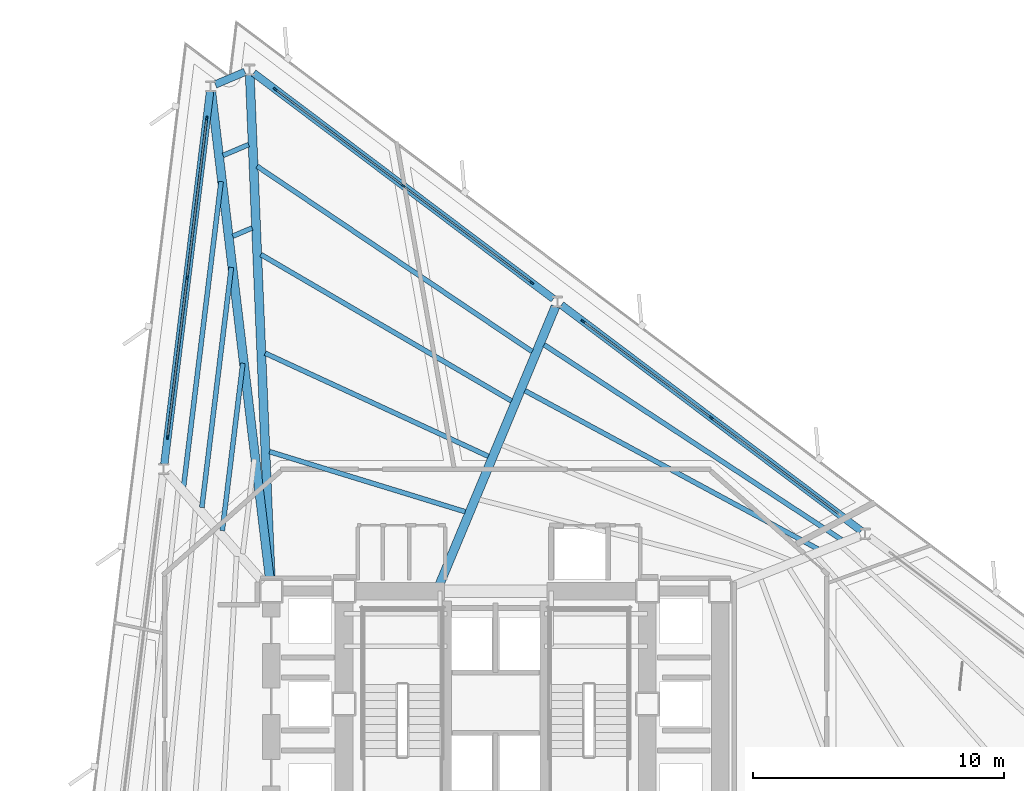
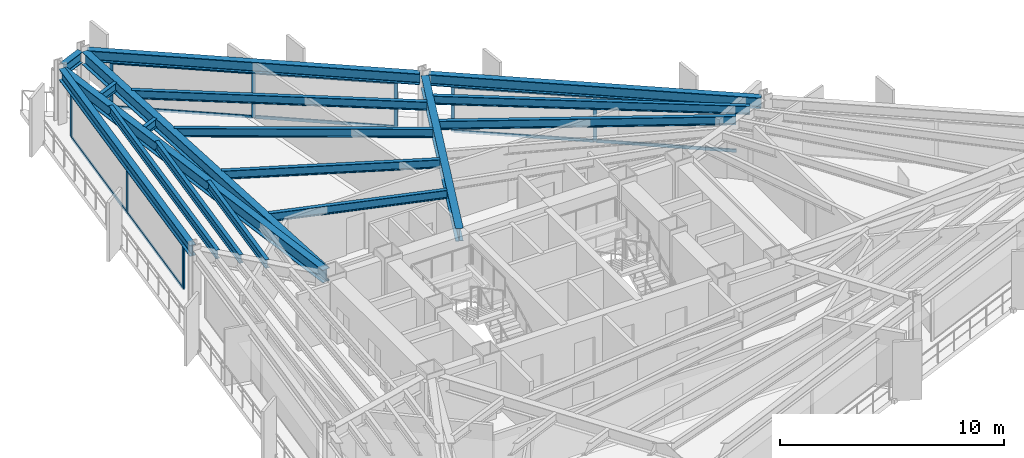
# One storey, part 5 of 13: 20 members, 18 beams, 3 elements without a shape of their own.
"""IFC4 building model written with IfcOpenShell, lengths in metres."""

from ifc_helpers import new_model, si_unit, direction, frame, origin, origin_2d, place, context, subcontext, project, spatial, rectangle, i_section, extrude, material, layer, layer_set, material_profile, profile_set, type_object, element, aggregate, save


model = new_model("IFC4")

# Units and contexts
model_context = context("Model", 3, precision=1e-05, world=origin(), true_north=direction((0.0, 1.0)))
body_context = subcontext(model_context, "Body", "Model", "MODEL_VIEW")
ifc_project = project(units=[si_unit("LENGTHUNIT", "METRE"), si_unit("AREAUNIT", "SQUARE_METRE"), si_unit("VOLUMEUNIT", "CUBIC_METRE"), si_unit("PLANEANGLEUNIT", "RADIAN"), si_unit("MASSUNIT", "GRAM", prefix="KILO")], contexts=[model_context])

# Site, building, storey
site_placement = place(None, origin())
site = spatial("IfcSite", under=ifc_project, at=site_placement, CompositionType="ELEMENT")
building_placement = place(site_placement, origin())
building = spatial("IfcBuilding", under=site, at=building_placement, Name="Rocaltana Carrier Exchange", CompositionType="ELEMENT")
storey_placement = place(building_placement, frame((0.0, 0.0, 69.760009765625)))
storey = spatial("IfcBuildingStorey", under=building, at=storey_placement, Name="L21", CompositionType="ELEMENT", Elevation=69.760009765625)

# Curtain wall, members
ifc_material_1 = material(Name="Aluminium 6063-T6", Category="aluminium")
ifc_layer = layer(ifc_material_1, 0.1650390625)
ifc_layer_set = layer_set([ifc_layer], Name="Aluminium 6063-T6")
curtain_wall_type = type_object("IfcCurtainWallType", Name="Lower-Mid Stepped Curtain Wall CW-02", PredefinedType="NOTDEFINED", material=ifc_layer_set)
curtain_wall_1_placement = place(storey_placement, origin())
curtain_wall_1 = element("IfcCurtainWall", 1, at=curtain_wall_1_placement, inside=storey, type_object=curtain_wall_type, Name="L21 CW-02 Run CW-L21-F1S2", PredefinedType="NOTDEFINED")
ifc_material_2 = material(Name="Aluminium 6063-T6", Category="aluminium")
ifc_material_profile_1 = material_profile(ifc_material_2, rectangle(XDim=0.06494140625, YDim=0.1650390625, at=origin_2d()), Name="AL-65X165")
ifc_profile_set_1 = profile_set([ifc_material_profile_1], Name="Aluminium 6063-T6")
member_type_1 = type_object("IfcMemberType", Name="CW-02 Mullion AL-65X165", PredefinedType="MULLION", material=ifc_profile_set_1)
member_1_placement = place(storey_placement, frame((8.59423828125, 11.405029296875, 0.0), z_axis=(0.0, 0.0, 1.0), x_axis=(-0.601815253533, -0.798635336443, 0.0)))
member_1 = element("IfcMember", 2, at=member_1_placement, type_object=member_type_1, Name="CW-02 mullion 2", PredefinedType="MULLION", context=body_context, shape_type="SweptSolid", body=[
    extrude(rectangle(XDim=0.06494140625, YDim=0.1650390625, at=origin_2d()), origin(), (0.0, 0.0, 1.0), 2.47802734375),
])
member_2_placement = place(storey_placement, frame((3.482421875, 15.257080078125, 0.0), z_axis=(0.0, 0.0, 1.0), x_axis=(-0.601815253533, -0.798635336443, 0.0)))
member_2 = element("IfcMember", 3, at=member_2_placement, type_object=member_type_1, Name="CW-02 mullion 3", PredefinedType="MULLION", context=body_context, shape_type="SweptSolid", body=[
    extrude(rectangle(XDim=0.06494140625, YDim=0.1650390625, at=origin_2d()), origin(), (0.0, 0.0, 1.0), 2.47802734375),
])

curtain_wall_2_placement = place(storey_placement, origin())
curtain_wall_2 = element("IfcCurtainWall", 4, at=curtain_wall_2_placement, inside=storey, type_object=curtain_wall_type, Name="L21 CW-02 Run CW-L21-F1S3", PredefinedType="NOTDEFINED")
member_3_placement = place(storey_placement, frame((1.433837890625, 16.80078125, 0.0), z_axis=(0.0, 0.0, 1.0), x_axis=(-0.601811518049, -0.79863815132, 0.0)))
member_3 = element("IfcMember", 5, at=member_3_placement, type_object=member_type_1, Name="CW-02 mullion 1", PredefinedType="MULLION", context=body_context, shape_type="SweptSolid", body=[
    extrude(rectangle(XDim=0.06494140625, YDim=0.1650390625, at=origin_2d()), origin(), (0.0, 0.0, 1.0), 2.47802734375),
])
member_4_placement = place(storey_placement, frame((-3.677978515625, 20.65283203125, 0.0), z_axis=(0.0, 0.0, 1.0), x_axis=(-0.601811518049, -0.79863815132, 0.0)))
member_4 = element("IfcMember", 6, at=member_4_placement, type_object=member_type_1, Name="CW-02 mullion 2", PredefinedType="MULLION", context=body_context, shape_type="SweptSolid", body=[
    extrude(rectangle(XDim=0.06494140625, YDim=0.1650390625, at=origin_2d()), origin(), (0.0, 0.0, 1.0), 2.47802734375),
])
member_5_placement = place(storey_placement, frame((-8.7900390625, 24.505126953125, 0.0), z_axis=(0.0, 0.0, 1.0), x_axis=(-0.601811518049, -0.79863815132, 0.0)))
member_5 = element("IfcMember", 7, at=member_5_placement, type_object=member_type_1, Name="CW-02 mullion 3", PredefinedType="MULLION", context=body_context, shape_type="SweptSolid", body=[
    extrude(rectangle(XDim=0.06494140625, YDim=0.1650390625, at=origin_2d()), origin(), (0.0, 0.0, 1.0), 2.47802734375),
])

curtain_wall_3_placement = place(storey_placement, origin())
curtain_wall_3 = element("IfcCurtainWall", 8, at=curtain_wall_3_placement, inside=storey, type_object=curtain_wall_type, Name="L21 CW-02 Run CW-L21-F2S1", PredefinedType="NOTDEFINED")
member_6_placement = place(storey_placement, frame((-11.521484375, 23.345703125, 0.0), z_axis=(0.0, 0.0, 1.0), x_axis=(0.992545748051, -0.121872630343, 0.0)))
member_6 = element("IfcMember", 9, at=member_6_placement, type_object=member_type_1, Name="CW-02 mullion 1", PredefinedType="MULLION", context=body_context, shape_type="SweptSolid", body=[
    extrude(rectangle(XDim=0.06494140625, YDim=0.1650390625, at=origin_2d()), origin(), (0.0, 0.0, 1.0), 2.47802734375),
])
member_7_placement = place(storey_placement, frame((-12.301513671875, 16.992431640625, 0.0), z_axis=(0.0, 0.0, 1.0), x_axis=(0.992545748051, -0.121872630343, 0.0)))
member_7 = element("IfcMember", 10, at=member_7_placement, type_object=member_type_1, Name="CW-02 mullion 2", PredefinedType="MULLION", context=body_context, shape_type="SweptSolid", body=[
    extrude(rectangle(XDim=0.06494140625, YDim=0.1650390625, at=origin_2d()), origin(), (0.0, 0.0, 1.0), 2.47802734375),
])
member_8_placement = place(storey_placement, frame((-13.08154296875, 10.639404296875, 0.0), z_axis=(0.0, 0.0, 1.0), x_axis=(0.992545748051, -0.121872630343, 0.0)))
member_8 = element("IfcMember", 11, at=member_8_placement, type_object=member_type_1, Name="CW-02 mullion 3", PredefinedType="MULLION", context=body_context, shape_type="SweptSolid", body=[
    extrude(rectangle(XDim=0.06494140625, YDim=0.1650390625, at=origin_2d()), origin(), (0.0, 0.0, 1.0), 2.47802734375),
])

# Member
ifc_material_3 = material(Name="Aluminium 6063-T6", Category="aluminium")
ifc_material_profile_2 = material_profile(ifc_material_3, rectangle(XDim=0.06494140625, YDim=0.1650390625, at=origin_2d()), Name="AL-65X165")
ifc_profile_set_2 = profile_set([ifc_material_profile_2], Name="Aluminium 6063-T6")
member_type_2 = type_object("IfcMemberType", Name="CW-02 Transom AL-65X165", PredefinedType="USERDEFINED", material=ifc_profile_set_2)
member_9_placement = place(storey_placement, frame((13.68017578125, 7.572509765625, 0.032470703125), z_axis=(-0.798624539829, 0.601829580847, 0.0), x_axis=(-0.601829580847, -0.798624539829, 0.0)))
member_9 = element("IfcMember", 12, at=member_9_placement, type_object=member_type_2, Name="CW-02 transom 1.1", ObjectType="TRANSOM", PredefinedType="USERDEFINED", context=body_context, shape_type="SweptSolid", body=[
    extrude(rectangle(XDim=0.06494140625, YDim=0.1650390625, at=origin_2d()), origin(), (0.0, 0.0, 1.0), 6.335693359375),
])

member_10_placement = place(storey_placement, frame((13.68017578125, 7.572509765625, 2.445556640625), z_axis=(-0.798624539829, 0.601829580847, 0.0), x_axis=(-0.601829580847, -0.798624539829, 0.0)))
member_10 = element("IfcMember", 13, at=member_10_placement, type_object=member_type_2, Name="CW-02 transom 1.2", ObjectType="TRANSOM", PredefinedType="USERDEFINED", context=body_context, shape_type="SweptSolid", body=[
    extrude(rectangle(XDim=0.06494140625, YDim=0.1650390625, at=origin_2d()), origin(), (0.0, 0.0, 1.0), 6.335693359375),
])

member_11_placement = place(storey_placement, frame((8.568359375, 11.424560546875, 0.032470703125), z_axis=(-0.798638496284, 0.601811060261, 0.0), x_axis=(-0.601811060261, -0.798638496284, 0.0)))
member_11 = element("IfcMember", 14, at=member_11_placement, type_object=member_type_2, Name="CW-02 transom 2.1", ObjectType="TRANSOM", PredefinedType="USERDEFINED", context=body_context, shape_type="SweptSolid", body=[
    extrude(rectangle(XDim=0.06494140625, YDim=0.1650390625, at=origin_2d()), origin(), (0.0, 0.0, 1.0), 6.3359375),
])

member_12_placement = place(storey_placement, frame((8.568359375, 11.424560546875, 2.445556640625), z_axis=(-0.798638496284, 0.601811060261, 0.0), x_axis=(-0.601811060261, -0.798638496284, 0.0)))
member_12 = element("IfcMember", 15, at=member_12_placement, type_object=member_type_2, Name="CW-02 transom 2.2", ObjectType="TRANSOM", PredefinedType="USERDEFINED", context=body_context, shape_type="SweptSolid", body=[
    extrude(rectangle(XDim=0.06494140625, YDim=0.1650390625, at=origin_2d()), origin(), (0.0, 0.0, 1.0), 6.3359375),
])

aggregate(curtain_wall_1, [member_1, member_2, member_9, member_10, member_11, member_12])

member_13_placement = place(storey_placement, frame((1.407958984375, 16.8203125, 0.032470703125), z_axis=(-0.798638496284, 0.601811060261, 0.0), x_axis=(-0.601811060261, -0.798638496284, 0.0)))
member_13 = element("IfcMember", 16, at=member_13_placement, type_object=member_type_2, Name="CW-02 transom 1.1", ObjectType="TRANSOM", PredefinedType="USERDEFINED", context=body_context, shape_type="SweptSolid", body=[
    extrude(rectangle(XDim=0.06494140625, YDim=0.1650390625, at=origin_2d()), origin(), (0.0, 0.0, 1.0), 6.3359375),
])

member_14_placement = place(storey_placement, frame((1.407958984375, 16.8203125, 2.445556640625), z_axis=(-0.798638496284, 0.601811060261, 0.0), x_axis=(-0.601811060261, -0.798638496284, 0.0)))
member_14 = element("IfcMember", 17, at=member_14_placement, type_object=member_type_2, Name="CW-02 transom 1.2", ObjectType="TRANSOM", PredefinedType="USERDEFINED", context=body_context, shape_type="SweptSolid", body=[
    extrude(rectangle(XDim=0.06494140625, YDim=0.1650390625, at=origin_2d()), origin(), (0.0, 0.0, 1.0), 6.3359375),
])

member_15_placement = place(storey_placement, frame((-3.703857421875, 20.672607421875, 0.032470703125), z_axis=(-0.798638496284, 0.601811060261, 0.0), x_axis=(-0.601811060261, -0.798638496284, 0.0)))
member_15 = element("IfcMember", 18, at=member_15_placement, type_object=member_type_2, Name="CW-02 transom 2.1", ObjectType="TRANSOM", PredefinedType="USERDEFINED", context=body_context, shape_type="SweptSolid", body=[
    extrude(rectangle(XDim=0.06494140625, YDim=0.1650390625, at=origin_2d()), origin(), (0.0, 0.0, 1.0), 6.3359375),
])

member_16_placement = place(storey_placement, frame((-3.703857421875, 20.672607421875, 2.445556640625), z_axis=(-0.798638496284, 0.601811060261, 0.0), x_axis=(-0.601811060261, -0.798638496284, 0.0)))
member_16 = element("IfcMember", 19, at=member_16_placement, type_object=member_type_2, Name="CW-02 transom 2.2", ObjectType="TRANSOM", PredefinedType="USERDEFINED", context=body_context, shape_type="SweptSolid", body=[
    extrude(rectangle(XDim=0.06494140625, YDim=0.1650390625, at=origin_2d()), origin(), (0.0, 0.0, 1.0), 6.3359375),
])

aggregate(curtain_wall_2, [member_3, member_4, member_5, member_13, member_14, member_15, member_16])

member_17_placement = place(storey_placement, frame((-11.525390625, 23.3134765625, 0.032470703125), z_axis=(-0.12187665048, -0.992545254418, 0.0), x_axis=(0.992545254418, -0.12187665048, 0.0)))
member_17 = element("IfcMember", 20, at=member_17_placement, type_object=member_type_2, Name="CW-02 transom 1.1", ObjectType="TRANSOM", PredefinedType="USERDEFINED", context=body_context, shape_type="SweptSolid", body=[
    extrude(rectangle(XDim=0.06494140625, YDim=0.1650390625, at=origin_2d()), origin(), (0.0, 0.0, 1.0), 6.3359375),
])

member_18_placement = place(storey_placement, frame((-11.525390625, 23.3134765625, 2.445556640625), z_axis=(-0.12187665048, -0.992545254418, 0.0), x_axis=(0.992545254418, -0.12187665048, 0.0)))
member_18 = element("IfcMember", 21, at=member_18_placement, type_object=member_type_2, Name="CW-02 transom 1.2", ObjectType="TRANSOM", PredefinedType="USERDEFINED", context=body_context, shape_type="SweptSolid", body=[
    extrude(rectangle(XDim=0.06494140625, YDim=0.1650390625, at=origin_2d()), origin(), (0.0, 0.0, 1.0), 6.3359375),
])

member_19_placement = place(storey_placement, frame((-12.305419921875, 16.960205078125, 0.032470703125), z_axis=(-0.121881311797, -0.992544682034, 0.0), x_axis=(0.992544682034, -0.121881311797, 0.0)))
member_19 = element("IfcMember", 22, at=member_19_placement, type_object=member_type_2, Name="CW-02 transom 2.1", ObjectType="TRANSOM", PredefinedType="USERDEFINED", context=body_context, shape_type="SweptSolid", body=[
    extrude(rectangle(XDim=0.06494140625, YDim=0.1650390625, at=origin_2d()), origin(), (0.0, 0.0, 1.0), 6.335693359375),
])

member_20_placement = place(storey_placement, frame((-12.305419921875, 16.960205078125, 2.445556640625), z_axis=(-0.121881311797, -0.992544682034, 0.0), x_axis=(0.992544682034, -0.121881311797, 0.0)))
member_20 = element("IfcMember", 23, at=member_20_placement, type_object=member_type_2, Name="CW-02 transom 2.2", ObjectType="TRANSOM", PredefinedType="USERDEFINED", context=body_context, shape_type="SweptSolid", body=[
    extrude(rectangle(XDim=0.06494140625, YDim=0.1650390625, at=origin_2d()), origin(), (0.0, 0.0, 1.0), 6.335693359375),
])

aggregate(curtain_wall_3, [member_6, member_7, member_8, member_17, member_18, member_19, member_20])

# Beams
ifc_material_4 = material(Name="Steel S355", Category="steel")
ifc_material_profile_3 = material_profile(ifc_material_4, i_section(OverallWidth=0.193115234375, OverallDepth=0.466064453125, WebThickness=0.011474609375, FlangeThickness=0.01904296875, FilletRadius=0.013916015625, at=origin_2d()), Name="W18X65")
ifc_profile_set_3 = profile_set([ifc_material_profile_3], Name="Steel S355")
beam_type_1 = type_object("IfcBeamType", Name="Floor Joist W18X65", PredefinedType="JOIST", material=ifc_profile_set_3)
beam_1_placement = place(storey_placement, frame((12.845458984375, 6.17822265625, 2.864990234375), z_axis=(-0.879782188298, 0.475377009493, 0.0), x_axis=(-0.475377009493, -0.879782188298, 0.0)))
element("IfcBeam", 24, at=beam_1_placement, inside=storey, type_object=beam_type_1, Name="FJ-L21-02-3", PredefinedType="JOIST", context=body_context, shape_type="SweptSolid", body=[
    extrude(i_section(OverallWidth=0.193115234375, OverallDepth=0.466064453125, WebThickness=0.011474609375, FlangeThickness=0.01904296875, FilletRadius=0.013916015625, at=origin_2d()), origin(), (0.0, 0.0, 1.0), 13.27490234375),
])
beam_2_placement = place(storey_placement, frame((13.77783203125, 6.5556640625, 2.864990234375), z_axis=(-0.836404193047, 0.548113150593, 0.0), x_axis=(-0.548113150593, -0.836404193047, 0.0)))
element("IfcBeam", 25, at=beam_2_placement, inside=storey, type_object=beam_type_1, Name="FJ-L21-02-4", PredefinedType="JOIST", context=body_context, shape_type="SweptSolid", body=[
    extrude(i_section(OverallWidth=0.193115234375, OverallDepth=0.466064453125, WebThickness=0.011474609375, FlangeThickness=0.01904296875, FilletRadius=0.013916015625, at=origin_2d()), origin(), (0.0, 0.0, 1.0), 14.1669921875),
])
beam_3_placement = place(storey_placement, frame((-1.2158203125, 7.6630859375, 2.864990234375), z_axis=(-0.955945046832, 0.293545682028, 0.0), x_axis=(-0.293545682028, -0.955945046832, 0.0)))
element("IfcBeam", 26, at=beam_3_placement, inside=storey, type_object=beam_type_1, Name="FJ-L21-03-1", PredefinedType="JOIST", context=body_context, shape_type="SweptSolid", body=[
    extrude(i_section(OverallWidth=0.193115234375, OverallDepth=0.466064453125, WebThickness=0.011474609375, FlangeThickness=0.01904296875, FilletRadius=0.013916015625, at=origin_2d()), origin(), (0.0, 0.0, 1.0), 8.1630859375),
])
beam_4_placement = place(storey_placement, frame((-0.2939453125, 9.875244140625, 2.864990234375), z_axis=(-0.907819359588, 0.419361431653, 0.0), x_axis=(-0.419361431653, -0.907819359588, 0.0)))
element("IfcBeam", 27, at=beam_4_placement, inside=storey, type_object=beam_type_1, Name="FJ-L21-03-2", PredefinedType="JOIST", context=body_context, shape_type="SweptSolid", body=[
    extrude(i_section(OverallWidth=0.193115234375, OverallDepth=0.466064453125, WebThickness=0.011474609375, FlangeThickness=0.01904296875, FilletRadius=0.013916015625, at=origin_2d()), origin(), (0.0, 0.0, 1.0), 9.801513671875),
])
beam_5_placement = place(storey_placement, frame((0.627197265625, 12.080322265625, 2.864990234375), z_axis=(-0.863399873856, 0.504520225387, 0.0), x_axis=(-0.504520225387, -0.863399873856, 0.0)))
element("IfcBeam", 28, at=beam_5_placement, inside=storey, type_object=beam_type_1, Name="FJ-L21-03-3", PredefinedType="JOIST", context=body_context, shape_type="SweptSolid", body=[
    extrude(i_section(OverallWidth=0.193115234375, OverallDepth=0.466064453125, WebThickness=0.011474609375, FlangeThickness=0.01904296875, FilletRadius=0.013916015625, at=origin_2d()), origin(), (0.0, 0.0, 1.0), 11.57177734375),
])
beam_6_placement = place(storey_placement, frame((1.450439453125, 14.049560546875, 2.864990234375), z_axis=(-0.829233693301, 0.558902032466, 0.0), x_axis=(-0.558902032466, -0.829233693301, 0.0)))
element("IfcBeam", 29, at=beam_6_placement, inside=storey, type_object=beam_type_1, Name="FJ-L21-03-4", PredefinedType="JOIST", context=body_context, shape_type="SweptSolid", body=[
    extrude(i_section(OverallWidth=0.193115234375, OverallDepth=0.466064453125, WebThickness=0.011474609375, FlangeThickness=0.01904296875, FilletRadius=0.013916015625, at=origin_2d()), origin(), (0.0, 0.0, 1.0), 13.22509765625),
])
beam_7_placement = place(storey_placement, frame((-9.712890625, 18.976806640625, 2.864990234375), z_axis=(-0.92048318346, -0.390782175857, 0.0), x_axis=(0.390782175857, -0.92048318346, 0.0)))
element("IfcBeam", 30, at=beam_7_placement, inside=storey, type_object=beam_type_1, Name="FJ-L21-04-3", PredefinedType="JOIST", context=body_context, shape_type="SweptSolid", body=[
    extrude(i_section(OverallWidth=0.193115234375, OverallDepth=0.466064453125, WebThickness=0.011474609375, FlangeThickness=0.01904296875, FilletRadius=0.013916015625, at=origin_2d()), origin(), (0.0, 0.0, 1.0), 0.83642578125),
])
beam_8_placement = place(storey_placement, frame((-9.85107421875, 22.301025390625, 2.864990234375), z_axis=(-0.920509615817, -0.390719908872, 0.0), x_axis=(0.390719908872, -0.920509615817, 0.0)))
element("IfcBeam", 31, at=beam_8_placement, inside=storey, type_object=beam_type_1, Name="FJ-L21-04-4", PredefinedType="JOIST", context=body_context, shape_type="SweptSolid", body=[
    extrude(i_section(OverallWidth=0.193115234375, OverallDepth=0.466064453125, WebThickness=0.011474609375, FlangeThickness=0.01904296875, FilletRadius=0.013916015625, at=origin_2d()), origin(), (0.0, 0.0, 1.0), 1.10595703125),
])
beam_9_placement = place(storey_placement, frame((-10.081787109375, 13.584228515625, 2.864990234375), z_axis=(-0.121894438401, -0.992543070041, 0.0), x_axis=(0.992543070041, -0.121894438401, 0.0)))
element("IfcBeam", 32, at=beam_9_placement, inside=storey, type_object=beam_type_1, Name="FJ-L21-05-2", PredefinedType="JOIST", context=body_context, shape_type="SweptSolid", body=[
    extrude(i_section(OverallWidth=0.193115234375, OverallDepth=0.466064453125, WebThickness=0.011474609375, FlangeThickness=0.01904296875, FilletRadius=0.013916015625, at=origin_2d()), origin(), (0.0, 0.0, 1.0), 6.7255859375),
])
beam_10_placement = place(storey_placement, frame((-10.540771484375, 17.406982421875, 2.864990234375), z_axis=(-0.121875552726, -0.992545389213, 0.0), x_axis=(0.992545389213, -0.121875552726, 0.0)))
element("IfcBeam", 33, at=beam_10_placement, inside=storey, type_object=beam_type_1, Name="FJ-L21-05-3", PredefinedType="JOIST", context=body_context, shape_type="SweptSolid", body=[
    extrude(i_section(OverallWidth=0.193115234375, OverallDepth=0.466064453125, WebThickness=0.011474609375, FlangeThickness=0.01904296875, FilletRadius=0.013916015625, at=origin_2d()), origin(), (0.0, 0.0, 1.0), 9.6455078125),
])
beam_11_placement = place(storey_placement, frame((-10.951416015625, 20.826904296875, 2.864990234375), z_axis=(-0.121874778131, -0.992545484326, 0.0), x_axis=(0.992545484326, -0.121874778131, 0.0)))
element("IfcBeam", 34, at=beam_11_placement, inside=storey, type_object=beam_type_1, Name="FJ-L21-05-4", PredefinedType="JOIST", context=body_context, shape_type="SweptSolid", body=[
    extrude(i_section(OverallWidth=0.193115234375, OverallDepth=0.466064453125, WebThickness=0.011474609375, FlangeThickness=0.01904296875, FilletRadius=0.013916015625, at=origin_2d()), origin(), (0.0, 0.0, 1.0), 12.257568359375),
])
ifc_material_5 = material(Name="Steel S355", Category="steel")
ifc_material_profile_4 = material_profile(ifc_material_5, i_section(OverallWidth=0.35498046875, OverallDepth=0.695068359375, WebThickness=0.015380859375, FlangeThickness=0.02490234375, FilletRadius=0.01806640625, at=origin_2d()), Name="W27X146")
ifc_profile_set_4 = profile_set([ifc_material_profile_4], Name="Steel S355")
beam_type_2 = type_object("IfcBeamType", Name="Radial Girder W27X146", PredefinedType="BEAM", material=ifc_profile_set_4)
beam_12_placement = place(storey_placement, frame((-2.2568359375, 4.723388671875, 2.75048828125), z_axis=(0.384920391232, 0.922949777839, 0.0), x_axis=(-0.922949777839, 0.384920391232, 0.0)))
element("IfcBeam", 35, at=beam_12_placement, inside=storey, type_object=beam_type_2, Name="RG-L21-03", PredefinedType="BEAM", context=body_context, shape_type="SweptSolid", body=[
    extrude(i_section(OverallWidth=0.35498046875, OverallDepth=0.695068359375, WebThickness=0.015380859375, FlangeThickness=0.02490234375, FilletRadius=0.01806640625, at=origin_2d()), origin(), (0.0, 0.0, 1.0), 12.04833984375),
])
beam_13_placement = place(storey_placement, frame((-8.969482421875, 4.966552734375, 2.75048828125), z_axis=(-0.041557386184, 0.999136118681, 0.0), x_axis=(-0.999136118681, -0.041557386184, 0.0)))
element("IfcBeam", 36, at=beam_13_placement, inside=storey, type_object=beam_type_2, Name="RG-L21-04", PredefinedType="BEAM", context=body_context, shape_type="SweptSolid", body=[
    extrude(i_section(OverallWidth=0.35498046875, OverallDepth=0.695068359375, WebThickness=0.015380859375, FlangeThickness=0.02490234375, FilletRadius=0.01806640625, at=origin_2d()), origin(), (0.0, 0.0, 1.0), 20.126953125),
])
beam_14_placement = place(storey_placement, frame((-9.005615234375, 4.963623046875, 2.75048828125), z_axis=(-0.119198280629, 0.992870469847, 0.0), x_axis=(-0.992870469847, -0.119198280629, 0.0)))
element("IfcBeam", 37, at=beam_14_placement, inside=storey, type_object=beam_type_2, Name="RG-L21-05", PredefinedType="BEAM", context=body_context, shape_type="SweptSolid", body=[
    extrude(i_section(OverallWidth=0.35498046875, OverallDepth=0.695068359375, WebThickness=0.015380859375, FlangeThickness=0.02490234375, FilletRadius=0.01806640625, at=origin_2d()), origin(), (0.0, 0.0, 1.0), 19.594970703125),
])
ifc_material_6 = material(Name="Steel S355", Category="steel")
ifc_material_profile_5 = material_profile(ifc_material_6, i_section(OverallWidth=0.300048828125, OverallDepth=0.60009765625, WebThickness=0.015380859375, FlangeThickness=0.030029296875, FilletRadius=0.027099609375, at=origin_2d()), Name="HEB600")
ifc_profile_set_5 = profile_set([ifc_material_profile_5], Name="Steel S355")
beam_type_3 = type_object("IfcBeamType", Name="Spandrel Edge Beam HEB600", PredefinedType="SPANDREL", material=ifc_profile_set_5)
beam_15_placement = place(storey_placement, frame((14.570068359375, 6.902099609375, 2.798095703125), z_axis=(-0.7986412452, 0.601807412272, 0.0), x_axis=(-0.601807412272, -0.7986412452, 0.0)))
element("IfcBeam", 38, at=beam_15_placement, inside=storey, type_object=beam_type_3, Name="SP-L21-02", PredefinedType="SPANDREL", context=body_context, shape_type="SweptSolid", body=[
    extrude(i_section(OverallWidth=0.300048828125, OverallDepth=0.60009765625, WebThickness=0.015380859375, FlangeThickness=0.030029296875, FilletRadius=0.027099609375, at=origin_2d()), origin(), (0.0, 0.0, 1.0), 14.964599609375),
])
beam_16_placement = place(storey_placement, frame((2.297607421875, 16.14990234375, 2.798095703125), z_axis=(-0.798633404024, 0.601817817929, 0.0), x_axis=(-0.601817817929, -0.798633404024, 0.0)))
element("IfcBeam", 39, at=beam_16_placement, inside=storey, type_object=beam_type_3, Name="SP-L21-03", PredefinedType="SPANDREL", context=body_context, shape_type="SweptSolid", body=[
    extrude(i_section(OverallWidth=0.300048828125, OverallDepth=0.60009765625, WebThickness=0.015380859375, FlangeThickness=0.030029296875, FilletRadius=0.027099609375, at=origin_2d()), origin(), (0.0, 0.0, 1.0), 14.96484375),
])
beam_17_placement = place(storey_placement, frame((-9.999267578125, 25.198486328125, 2.798095703125), z_axis=(-0.920449041694, -0.390862586653, 0.0), x_axis=(0.390862586653, -0.920449041694, 0.0)))
element("IfcBeam", 40, at=beam_17_placement, inside=storey, type_object=beam_type_3, Name="SP-L21-04", PredefinedType="SPANDREL", context=body_context, shape_type="SweptSolid", body=[
    extrude(i_section(OverallWidth=0.300048828125, OverallDepth=0.60009765625, WebThickness=0.015380859375, FlangeThickness=0.030029296875, FilletRadius=0.027099609375, at=origin_2d()), origin(), (0.0, 0.0, 1.0), 1.282958984375),
])
beam_18_placement = place(storey_placement, frame((-11.3896484375, 24.419189453125, 2.798095703125), z_axis=(-0.121867898519, -0.99254632905, 0.0), x_axis=(0.99254632905, -0.121867898519, 0.0)))
element("IfcBeam", 41, at=beam_18_placement, inside=storey, type_object=beam_type_3, Name="SP-L21-05", PredefinedType="SPANDREL", context=body_context, shape_type="SweptSolid", body=[
    extrude(i_section(OverallWidth=0.300048828125, OverallDepth=0.60009765625, WebThickness=0.015380859375, FlangeThickness=0.030029296875, FilletRadius=0.027099609375, at=origin_2d()), origin(), (0.0, 0.0, 1.0), 14.96484375),
])

save(model, "model.ifc")
